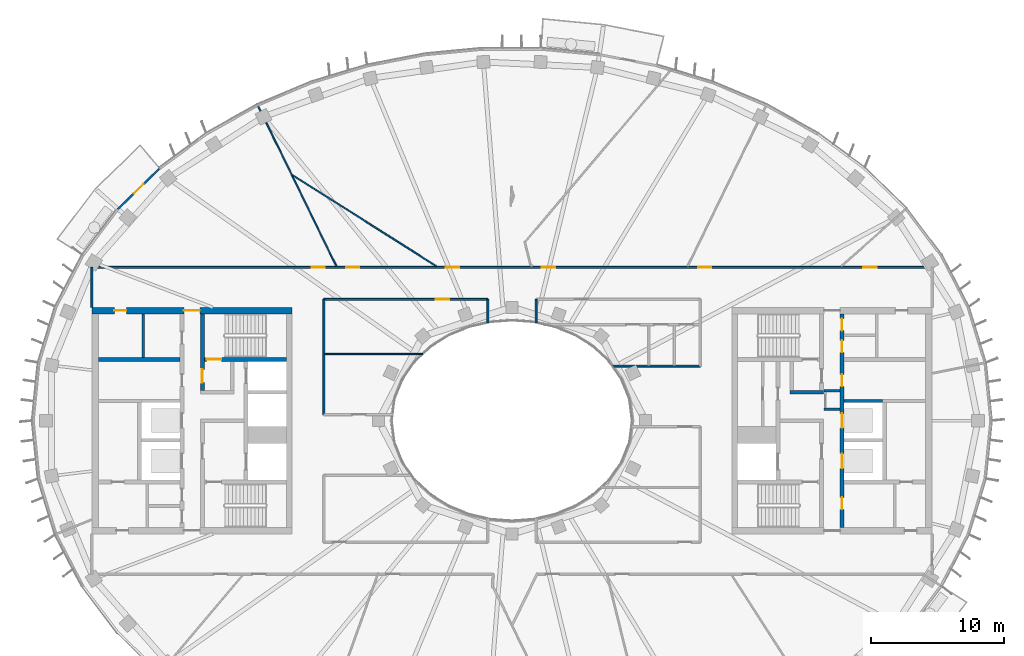
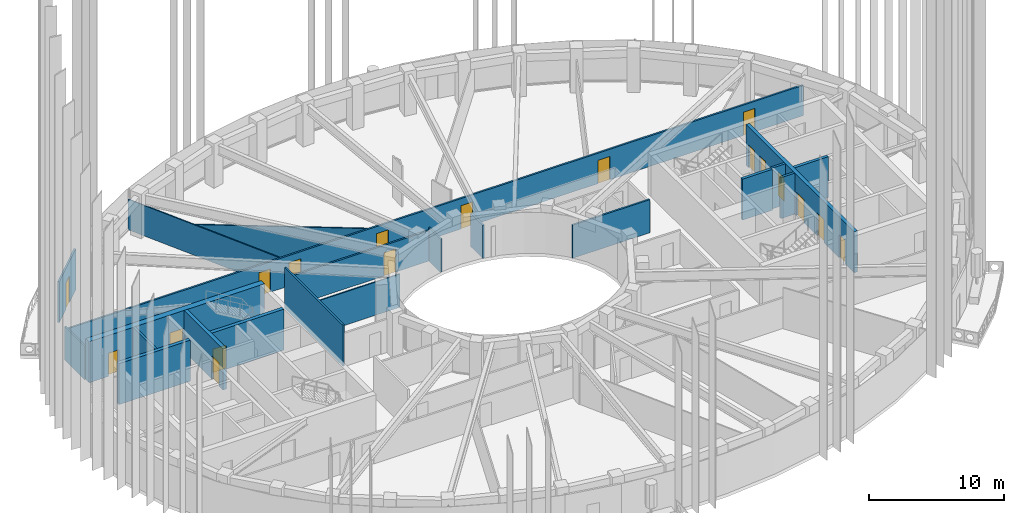
# One storey, part 5 of 17: 21 walls, 18 doors, 18 openings.
"""IFC4 building model written with IfcOpenShell, lengths in metres."""

from ifc_helpers import new_model, si_unit, direction, frame, frame_2d, origin, place, context, subcontext, project, spatial, rectangle, extrude, material, layer, layer_set, type_object, element, fill, save


model = new_model("IFC4")

# Units and contexts
model_context = context("Model", 3, precision=1e-05, world=origin(), true_north=direction((0.0, 1.0)))
body_context = subcontext(model_context, "Body", "Model", "MODEL_VIEW")
ifc_project = project(units=[si_unit("LENGTHUNIT", "METRE"), si_unit("AREAUNIT", "SQUARE_METRE"), si_unit("VOLUMEUNIT", "CUBIC_METRE"), si_unit("PLANEANGLEUNIT", "RADIAN"), si_unit("MASSUNIT", "GRAM", prefix="KILO")], contexts=[model_context])

# Site, building, storey
site_placement = place(None, origin())
site = spatial("IfcSite", under=ifc_project, at=site_placement, CompositionType="ELEMENT")
building_placement = place(site_placement, origin())
building = spatial("IfcBuilding", under=site, at=building_placement, Name="Noorbagh Ring Tower", CompositionType="ELEMENT")
storey_placement = place(building_placement, frame((0.0, 0.0, 291.0)))
storey = spatial("IfcBuildingStorey", under=building, at=storey_placement, Name="L62", CompositionType="ELEMENT", Elevation=291.0)

# Walls
ifc_material_1 = material(Name="Gypsum board on steel studs", Category="steel")
ifc_layer_1 = layer(ifc_material_1, 0.199951171875)
ifc_layer_set_1 = layer_set([ifc_layer_1], Name="Gypsum board on steel studs")
wall_type_1 = type_object("IfcWallType", Name="CORE-PARTITION-200", PredefinedType="PARTITIONING", material=ifc_layer_set_1)
wall_1_placement = place(storey_placement, frame((-27.64990234375, 4.75, 0.0), z_axis=(0.0, 0.0, 1.0), x_axis=(0.0, 1.0, 0.0)))
element("IfcWall", 1, at=wall_1_placement, inside=storey, type_object=wall_type_1, Name="Core partition W", PredefinedType="PARTITIONING", context=body_context, shape_type="SweptSolid", body=[
    extrude(rectangle(XDim=3.25, YDim=0.199951171875, at=frame_2d((1.625, 0.0))), origin(), (0.0, 0.0, 1.0), 3.699951171875),
])
for number, where, z_axis, x_axis, name in (
    (2, (23.39990234375, 0.85009765625, 0.0), (0.0, 0.0, 1.0), (1.0, 0.0, 0.0), "Core partition E"),
    (3, (23.39990234375, 2.25, 0.0), (0.0, 0.0, 1.0), (1.0, 0.0, 0.0), "Core partition E"),
):
    element("IfcWall", number, at=place(storey_placement, frame(where, z_axis=z_axis, x_axis=x_axis)), inside=storey, type_object=wall_type_1, Name=name, PredefinedType="PARTITIONING", context=body_context, shape_type="SweptSolid", body=[
        extrude(rectangle(XDim=1.2001953125, YDim=0.199951171875, at=frame_2d((0.60009765625, 0.0))), origin(), (0.0, 0.0, 1.0), 3.699951171875),
    ])
ifc_material_2 = material(Name="Concrete C50/60", Category="concrete")
ifc_layer_2 = layer(ifc_material_2, 0.25)
ifc_layer_set_2 = layer_set([ifc_layer_2], Name="Concrete C50/60")
wall_type_2 = type_object("IfcWallType", Name="CORE-WALL-250-C50-60-EI120", PredefinedType="SHEAR", material=ifc_layer_set_2)
wall_2_placement = place(storey_placement, frame((24.89990234375, 1.47509765625, 0.0), z_axis=(0.0, 0.0, 1.0), x_axis=(1.0, 0.0, 0.0)))
element("IfcWall", 4, at=wall_2_placement, inside=storey, type_object=wall_type_2, Name="Core wall E", PredefinedType="SHEAR", context=body_context, shape_type="SweptSolid", body=[
    extrude(rectangle(XDim=2.900146484375, YDim=0.25, at=frame_2d((1.4501953125, 0.0))), origin(), (0.0, 0.0, 1.0), 3.699951171875),
])
ifc_material_3 = material(Name="Concrete C50/60", Category="concrete")
ifc_layer_3 = layer(ifc_material_3, 0.25)
ifc_layer_set_3 = layer_set([ifc_layer_3], Name="Concrete C50/60")
wall_type_3 = type_object("IfcWallType", Name="CORE-WALL-250-C50-60-EI240", PredefinedType="SHEAR", material=ifc_layer_set_3)
wall_3_placement = place(storey_placement, frame((20.85009765625, 2.125, 0.0), z_axis=(0.0, 0.0, 1.0), x_axis=(1.0, 0.0, 0.0)))
element("IfcWall", 5, at=wall_3_placement, inside=storey, type_object=wall_type_3, Name="Core wall E", PredefinedType="SHEAR", context=body_context, shape_type="SweptSolid", body=[
    extrude(rectangle(XDim=2.52978515625, YDim=0.25, at=frame_2d((1.264892578125, 0.0))), origin(), (0.0, 0.0, 1.0), 3.699951171875),
])

# Wall, openings, doors
ifc_material_4 = material(Name="Concrete C50/60", Category="concrete")
ifc_layer_4 = layer(ifc_material_4, 0.300048828125)
ifc_layer_set_4 = layer_set([ifc_layer_4], Name="Concrete C50/60")
wall_type_4 = type_object("IfcWallType", Name="CORE-WALL-300-C50-60-EI120", PredefinedType="SHEAR", material=ifc_layer_set_4)
wall_4_placement = place(storey_placement, frame((24.75, -8.0, 0.0), z_axis=(0.0, 0.0, 1.0), x_axis=(0.0, 1.0, 0.0)))
wall_4 = element("IfcWall", 6, at=wall_4_placement, inside=storey, type_object=wall_type_4, Name="Core wall E", PredefinedType="SHEAR", context=body_context, shape_type="SweptSolid", body=[
    extrude(rectangle(XDim=16.0, YDim=0.300048828125, at=frame_2d((8.0, 0.0))), origin(), (0.0, 0.0, 1.0), 3.699951171875),
])
opening_1_placement = place(wall_4_placement, frame((4.425048828125, 0.0, 0.0)))
opening_1 = element("IfcOpeningElement", 7, at=opening_1_placement, cuts=wall_4, Name="Opening L62-CE02", PredefinedType="OPENING", context=body_context, shape_type="SweptSolid", body=[
    extrude(rectangle(XDim=1.10009765625, YDim=2.10009765625, at=frame_2d((0.550048828125, 1.050048828125))), frame((0.0, 0.16015625, 0.0), z_axis=(0.0, -1.0, 0.0), x_axis=(1.0, 0.0, 0.0)), (0.0, 0.0, 1.0), 0.320068359375),
])
opening_2_placement = place(wall_4_placement, frame((7.449951171875, 0.0, 0.0)))
opening_2 = element("IfcOpeningElement", 8, at=opening_2_placement, cuts=wall_4, Name="Opening L62-CE03", PredefinedType="OPENING", context=body_context, shape_type="SweptSolid", body=[
    extrude(rectangle(XDim=1.10009765625, YDim=2.10009765625, at=frame_2d((0.550048828125, 1.050048828125))), frame((0.0, 0.16015625, 0.0), z_axis=(0.0, -1.0, 0.0), x_axis=(1.0, 0.0, 0.0)), (0.0, 0.0, 1.0), 0.320068359375),
])
opening_3_placement = place(wall_4_placement, frame((10.574951171875, 0.0, 0.0)))
opening_3 = element("IfcOpeningElement", 9, at=opening_3_placement, cuts=wall_4, Name="Opening L62-CE12", PredefinedType="OPENING", context=body_context, shape_type="SweptSolid", body=[
    extrude(rectangle(XDim=0.89990234375, YDim=2.10009765625, at=frame_2d((0.449951171875, 1.050048828125))), frame((0.0, 0.16015625, 0.0), z_axis=(0.0, -1.0, 0.0), x_axis=(1.0, 0.0, 0.0)), (0.0, 0.0, 1.0), 0.320068359375),
])
opening_4_placement = place(wall_4_placement, frame((13.125, 0.0, 0.0)))
opening_4 = element("IfcOpeningElement", 10, at=opening_4_placement, cuts=wall_4, Name="Opening L62-CE13", PredefinedType="OPENING", context=body_context, shape_type="SweptSolid", body=[
    extrude(rectangle(XDim=0.89990234375, YDim=2.10009765625, at=frame_2d((0.449951171875, 1.050048828125))), frame((0.0, 0.16015625, 0.0), z_axis=(0.0, -1.0, 0.0), x_axis=(1.0, 0.0, 0.0)), (0.0, 0.0, 1.0), 0.320068359375),
])
opening_5_placement = place(wall_4_placement, frame((14.75, 0.0, 0.0)))
opening_5 = element("IfcOpeningElement", 11, at=opening_5_placement, cuts=wall_4, Name="Opening L62-CE14", PredefinedType="OPENING", context=body_context, shape_type="SweptSolid", body=[
    extrude(rectangle(XDim=0.89990234375, YDim=2.10009765625, at=frame_2d((0.449951171875, 1.050048828125))), frame((0.0, 0.16015625, 0.0), z_axis=(0.0, -1.0, 0.0), x_axis=(1.0, 0.0, 0.0)), (0.0, 0.0, 1.0), 0.320068359375),
])
opening_6_placement = place(wall_4_placement, frame((1.35009765625, 0.0, 0.0)))
opening_6 = element("IfcOpeningElement", 12, at=opening_6_placement, cuts=wall_4, Name="Opening L62-CE16", PredefinedType="OPENING", context=body_context, shape_type="SweptSolid", body=[
    extrude(rectangle(XDim=0.89990234375, YDim=2.10009765625, at=frame_2d((0.449951171875, 1.050048828125))), frame((0.0, 0.16015625, 0.0), z_axis=(0.0, -1.0, 0.0), x_axis=(1.0, 0.0, 0.0)), (0.0, 0.0, 1.0), 0.320068359375),
])
ifc_material_5 = material(Name="Steel door leaf", Category="steel")
door_type_1 = type_object("IfcDoorType", Name="CORE-DOOR-DROOM", OperationType="SINGLE_SWING_LEFT", PredefinedType="DOOR", material=ifc_material_5)
door_1_placement = place(opening_3_placement, origin())
door_1 = element("IfcDoor", 13, at=door_1_placement, inside=storey, type_object=door_type_1, Name="Core room door L62-CE12", OperationType="SINGLE_SWING_LEFT", OverallHeight=2.10009765625, OverallWidth=0.89990234375, PredefinedType="DOOR", context=body_context, shape_type="SweptSolid", body=[
    extrude(rectangle(XDim=0.89990234375, YDim=2.10009765625, at=frame_2d((0.449951171875, 1.050048828125))), frame((0.0, 0.02490234375, 0.0), z_axis=(0.0, -1.0, 0.0), x_axis=(1.0, 0.0, 0.0)), (0.0, 0.0, 1.0), 0.050048828125),
])
fill(opening_3, door_1)
door_2_placement = place(opening_4_placement, origin())
door_2 = element("IfcDoor", 14, at=door_2_placement, inside=storey, type_object=door_type_1, Name="Core room door L62-CE13", OperationType="SINGLE_SWING_RIGHT", OverallHeight=2.10009765625, OverallWidth=0.89990234375, PredefinedType="DOOR", context=body_context, shape_type="SweptSolid", body=[
    extrude(rectangle(XDim=0.89990234375, YDim=2.10009765625, at=frame_2d((0.449951171875, 1.050048828125))), frame((0.0, 0.02490234375, 0.0), z_axis=(0.0, -1.0, 0.0), x_axis=(1.0, 0.0, 0.0)), (0.0, 0.0, 1.0), 0.050048828125),
])
fill(opening_4, door_2)
door_3_placement = place(opening_5_placement, origin())
door_3 = element("IfcDoor", 15, at=door_3_placement, inside=storey, type_object=door_type_1, Name="Core room door L62-CE14", OperationType="SINGLE_SWING_LEFT", OverallHeight=2.10009765625, OverallWidth=0.89990234375, PredefinedType="DOOR", context=body_context, shape_type="SweptSolid", body=[
    extrude(rectangle(XDim=0.89990234375, YDim=2.10009765625, at=frame_2d((0.449951171875, 1.050048828125))), frame((0.0, 0.02490234375, 0.0), z_axis=(0.0, -1.0, 0.0), x_axis=(1.0, 0.0, 0.0)), (0.0, 0.0, 1.0), 0.050048828125),
])
fill(opening_5, door_3)
door_4_placement = place(opening_6_placement, origin())
door_4 = element("IfcDoor", 16, at=door_4_placement, inside=storey, type_object=door_type_1, Name="Core room door L62-CE16", OperationType="SINGLE_SWING_RIGHT", OverallHeight=2.10009765625, OverallWidth=0.89990234375, PredefinedType="DOOR", context=body_context, shape_type="SweptSolid", body=[
    extrude(rectangle(XDim=0.89990234375, YDim=2.10009765625, at=frame_2d((0.449951171875, 1.050048828125))), frame((0.0, 0.02490234375, 0.0), z_axis=(0.0, -1.0, 0.0), x_axis=(1.0, 0.0, 0.0)), (0.0, 0.0, 1.0), 0.050048828125),
])
fill(opening_6, door_4)
ifc_material_6 = material(Name="Steel door leaf", Category="steel")
door_type_2 = type_object("IfcDoorType", Name="CORE-DOOR-LD", OperationType="DOUBLE_DOOR_SLIDING", PredefinedType="DOOR", material=ifc_material_6)
door_5_placement = place(opening_1_placement, origin())
door_5 = element("IfcDoor", 17, at=door_5_placement, inside=storey, type_object=door_type_2, Name="Landing door HR12 L62-CE02", OperationType="DOUBLE_DOOR_SLIDING", OverallHeight=2.10009765625, OverallWidth=1.10009765625, PredefinedType="DOOR", context=body_context, shape_type="SweptSolid", body=[
    extrude(rectangle(XDim=1.10009765625, YDim=2.10009765625, at=frame_2d((0.550048828125, 1.050048828125))), frame((0.0, 0.02490234375, 0.0), z_axis=(0.0, -1.0, 0.0), x_axis=(1.0, 0.0, 0.0)), (0.0, 0.0, 1.0), 0.050048828125),
])
fill(opening_1, door_5)
door_6_placement = place(opening_2_placement, origin())
door_6 = element("IfcDoor", 18, at=door_6_placement, inside=storey, type_object=door_type_2, Name="Landing door HR13 L62-CE03", OperationType="DOUBLE_DOOR_SLIDING", OverallHeight=2.10009765625, OverallWidth=1.10009765625, PredefinedType="DOOR", context=body_context, shape_type="SweptSolid", body=[
    extrude(rectangle(XDim=1.10009765625, YDim=2.10009765625, at=frame_2d((0.550048828125, 1.050048828125))), frame((0.0, 0.02490234375, 0.0), z_axis=(0.0, -1.0, 0.0), x_axis=(1.0, 0.0, 0.0)), (0.0, 0.0, 1.0), 0.050048828125),
])
fill(opening_2, door_6)

# Wall
ifc_material_7 = material(Name="Concrete C50/60", Category="concrete")
ifc_layer_5 = layer(ifc_material_7, 0.300048828125)
ifc_layer_set_5 = layer_set([ifc_layer_5], Name="Concrete C50/60")
wall_type_5 = type_object("IfcWallType", Name="CORE-WALL-300-C50-60-EI240", PredefinedType="SHEAR", material=ifc_layer_set_5)
wall_5_placement = place(storey_placement, frame((-24.89990234375, 4.60009765625, 0.0), z_axis=(0.0, 0.0, 1.0), x_axis=(-1.0, 0.0, 0.0)))
element("IfcWall", 19, at=wall_5_placement, inside=storey, type_object=wall_type_5, Name="Core wall W", PredefinedType="SHEAR", context=body_context, shape_type="SweptSolid", body=[
    extrude(rectangle(XDim=6.10009765625, YDim=0.300048828125, at=frame_2d((3.050048828125, 0.0))), origin(), (0.0, 0.0, 1.0), 3.699951171875),
])

# Wall, opening, door
wall_6_placement = place(storey_placement, frame((-23.22998046875, 2.25, 0.0), z_axis=(0.0, 0.0, 1.0), x_axis=(0.0, 1.0, 0.0)))
wall_6 = element("IfcWall", 20, at=wall_6_placement, inside=storey, type_object=wall_type_5, Name="Core wall W", PredefinedType="SHEAR", context=body_context, shape_type="SweptSolid", body=[
    extrude(rectangle(XDim=5.75, YDim=0.300048828125, at=frame_2d((2.875, 0.0))), origin(), (0.0, 0.0, 1.0), 3.699951171875),
])
opening_7_placement = place(wall_6_placement, frame((0.60009765625, 0.0, 0.0)))
opening_7 = element("IfcOpeningElement", 21, at=opening_7_placement, cuts=wall_6, Name="Opening L62-CW08", PredefinedType="OPENING", context=body_context, shape_type="SweptSolid", body=[
    extrude(rectangle(XDim=1.0, YDim=2.10009765625, at=frame_2d((0.5, 1.050048828125))), frame((0.0, 0.16015625, 0.0), z_axis=(0.0, -1.0, 0.0), x_axis=(1.0, 0.0, 0.0)), (0.0, 0.0, 1.0), 0.320068359375),
])
ifc_material_8 = material(Name="Steel door leaf", Category="steel")
door_type_3 = type_object("IfcDoorType", Name="CORE-DOOR-DVEST", OperationType="SINGLE_SWING_LEFT", PredefinedType="DOOR", material=ifc_material_8)
door_7_placement = place(opening_7_placement, origin())
door_7 = element("IfcDoor", 22, at=door_7_placement, inside=storey, type_object=door_type_3, Name="Stair vestibule door L62-CW08", OperationType="SINGLE_SWING_LEFT", OverallHeight=2.10009765625, OverallWidth=1.0, PredefinedType="DOOR", context=body_context, shape_type="SweptSolid", body=[
    extrude(rectangle(XDim=1.0, YDim=2.10009765625, at=frame_2d((0.5, 1.050048828125))), frame((0.0, 0.02490234375, 0.0), z_axis=(0.0, -1.0, 0.0), x_axis=(1.0, 0.0, 0.0)), (0.0, 0.0, 1.0), 0.050048828125),
])
fill(opening_7, door_7)

wall_7_placement = place(storey_placement, frame((-16.89990234375, 4.60009765625, 0.0), z_axis=(0.0, 0.0, 1.0), x_axis=(-1.0, 0.0, 0.0)))
wall_7 = element("IfcWall", 23, at=wall_7_placement, inside=storey, type_object=wall_type_5, Name="Core wall W", PredefinedType="SHEAR", context=body_context, shape_type="SweptSolid", body=[
    extrude(rectangle(XDim=6.18017578125, YDim=0.300048828125, at=frame_2d((3.090087890625, 0.0))), origin(), (0.0, 0.0, 1.0), 3.699951171875),
])
opening_8_placement = place(wall_7_placement, frame((4.89990234375, 0.0, 0.0)))
opening_8 = element("IfcOpeningElement", 24, at=opening_8_placement, cuts=wall_7, Name="Opening L62-CW05", PredefinedType="OPENING", context=body_context, shape_type="SweptSolid", body=[
    extrude(rectangle(XDim=1.10009765625, YDim=2.10009765625, at=frame_2d((0.550048828125, 1.050048828125))), frame((0.0, 0.16015625, 0.0), z_axis=(0.0, -1.0, 0.0), x_axis=(1.0, 0.0, 0.0)), (0.0, 0.0, 1.0), 0.320068359375),
])
ifc_material_9 = material(Name="Steel door leaf", Category="steel")
door_type_4 = type_object("IfcDoorType", Name="CORE-DOOR-DSTAIR", OperationType="SINGLE_SWING_LEFT", PredefinedType="DOOR", material=ifc_material_9)
door_8_placement = place(opening_8_placement, origin())
door_8 = element("IfcDoor", 25, at=door_8_placement, inside=storey, type_object=door_type_4, Name="Stair door ST1 L62-CW05", OperationType="SINGLE_SWING_RIGHT", OverallHeight=2.10009765625, OverallWidth=1.10009765625, PredefinedType="DOOR", context=body_context, shape_type="SweptSolid", body=[
    extrude(rectangle(XDim=1.10009765625, YDim=2.10009765625, at=frame_2d((0.550048828125, 1.050048828125))), frame((0.0, 0.02490234375, 0.0), z_axis=(0.0, -1.0, 0.0), x_axis=(1.0, 0.0, 0.0)), (0.0, 0.0, 1.0), 0.050048828125),
])
fill(opening_8, door_8)

# Wall, openings, doors
ifc_material_10 = material(Name="Concrete C50/60", Category="concrete")
ifc_layer_6 = layer(ifc_material_10, 0.5)
ifc_layer_set_6 = layer_set([ifc_layer_6], Name="Concrete C50/60")
wall_type_6 = type_object("IfcWallType", Name="CORE-WALL-500-C50-60-EI240", PredefinedType="SHEAR", material=ifc_layer_set_6)
wall_8_placement = place(storey_placement, frame((-16.5, 8.25, 0.0), z_axis=(0.0, 0.0, 1.0), x_axis=(-1.0, 0.0, 0.0)))
wall_8 = element("IfcWall", 26, at=wall_8_placement, inside=storey, type_object=wall_type_6, Name="Core wall W", PredefinedType="SHEAR", context=body_context, shape_type="SweptSolid", body=[
    extrude(rectangle(XDim=15.0, YDim=0.5, at=frame_2d((7.5, 0.0))), origin(), (0.0, 0.0, 1.0), 3.699951171875),
])
opening_9_placement = place(wall_8_placement, frame((6.89990234375, 0.0, 0.0)))
opening_9 = element("IfcOpeningElement", 27, at=opening_9_placement, cuts=wall_8, Name="Opening L62-CW09", PredefinedType="OPENING", context=body_context, shape_type="SweptSolid", body=[
    extrude(rectangle(XDim=1.199951171875, YDim=2.10009765625, at=frame_2d((0.60009765625, 1.050048828125))), frame((0.0, 0.260009765625, 0.0), z_axis=(0.0, -1.0, 0.0), x_axis=(1.0, 0.0, 0.0)), (0.0, 0.0, 1.0), 0.52001953125),
])
opening_10_placement = place(wall_8_placement, frame((12.425048828125, 0.0, 0.0)))
opening_10 = element("IfcOpeningElement", 28, at=opening_10_placement, cuts=wall_8, Name="Opening L62-CW13", PredefinedType="OPENING", context=body_context, shape_type="SweptSolid", body=[
    extrude(rectangle(XDim=0.89990234375, YDim=2.10009765625, at=frame_2d((0.449951171875, 1.050048828125))), frame((0.0, 0.260009765625, 0.0), z_axis=(0.0, -1.0, 0.0), x_axis=(1.0, 0.0, 0.0)), (0.0, 0.0, 1.0), 0.52001953125),
])
door_9_placement = place(opening_10_placement, origin())
door_9 = element("IfcDoor", 29, at=door_9_placement, inside=storey, type_object=door_type_1, Name="Core room door L62-CW13", OperationType="SINGLE_SWING_RIGHT", OverallHeight=2.10009765625, OverallWidth=0.89990234375, PredefinedType="DOOR", context=body_context, shape_type="SweptSolid", body=[
    extrude(rectangle(XDim=0.89990234375, YDim=2.10009765625, at=frame_2d((0.449951171875, 1.050048828125))), frame((0.0, 0.02490234375, 0.0), z_axis=(0.0, -1.0, 0.0), x_axis=(1.0, 0.0, 0.0)), (0.0, 0.0, 1.0), 0.050048828125),
])
fill(opening_10, door_9)
ifc_material_11 = material(Name="Steel door leaf", Category="steel")
door_type_5 = type_object("IfcDoorType", Name="CORE-DOOR-PORT", OperationType="DOUBLE_DOOR_DOUBLE_SWING", PredefinedType="DOOR", material=ifc_material_11)
door_10_placement = place(opening_9_placement, origin())
door_10 = element("IfcDoor", 30, at=door_10_placement, inside=storey, type_object=door_type_5, Name="Core entrance door L62-CW09", OperationType="DOUBLE_DOOR_DOUBLE_SWING", OverallHeight=2.10009765625, OverallWidth=1.199951171875, PredefinedType="DOOR", context=body_context, shape_type="SweptSolid", body=[
    extrude(rectangle(XDim=1.199951171875, YDim=2.10009765625, at=frame_2d((0.60009765625, 1.050048828125))), frame((0.0, 0.02490234375, 0.0), z_axis=(0.0, -1.0, 0.0), x_axis=(1.0, 0.0, 0.0)), (0.0, 0.0, 1.0), 0.050048828125),
])
fill(opening_9, door_10)

# Wall
ifc_material_12 = material(Name="Gypsum board on steel studs", Category="steel")
ifc_layer_7 = layer(ifc_material_12, 0.14990234375)
ifc_layer_set_7 = layer_set([ifc_layer_7], Name="Gypsum board on steel studs")
wall_type_7 = type_object("IfcWallType", Name="CORRIDOR PARTITION 150 EI 30", PredefinedType="PARTITIONING", material=ifc_layer_set_7)
wall_9_placement = place(storey_placement, frame((-31.5, 8.5, 0.0), z_axis=(0.0, 0.0, 1.0), x_axis=(0.0, 1.0, 0.0)))
element("IfcWall", 31, at=wall_9_placement, inside=storey, type_object=wall_type_7, Name="L62/wall/P04", PredefinedType="PARTITIONING", context=body_context, shape_type="SweptSolid", body=[
    extrude(rectangle(XDim=3.0, YDim=0.14990234375, at=frame_2d((1.5, 0.0))), origin(), (0.0, 0.0, 1.0), 3.0),
])

# Wall, openings, doors
wall_10_placement = place(storey_placement, frame((-31.5, 11.5, 0.0), z_axis=(0.0, 0.0, 1.0), x_axis=(1.0, 0.0, 0.0)))
wall_10 = element("IfcWall", 32, at=wall_10_placement, inside=storey, type_object=wall_type_7, Name="L62/wall/P05", PredefinedType="PARTITIONING", context=body_context, shape_type="SweptSolid", body=[
    extrude(rectangle(XDim=63.0, YDim=0.14990234375, at=frame_2d((31.5, 0.0))), origin(), (0.0, 0.0, 1.0), 2.75),
])
opening_11_placement = place(wall_10_placement, frame((16.470947265625, 0.0, 0.0)))
opening_11 = element("IfcOpeningElement", 33, at=opening_11_placement, cuts=wall_10, Name="Opening D1", PredefinedType="OPENING", context=body_context, shape_type="SweptSolid", body=[
    extrude(rectangle(XDim=1.0, YDim=2.10009765625, at=frame_2d((0.5, 1.050048828125))), frame((0.0, 0.0849609375, 0.0), z_axis=(0.0, -1.0, 0.0), x_axis=(1.0, 0.0, 0.0)), (0.0, 0.0, 1.0), 0.169921875),
])
opening_12_placement = place(wall_10_placement, frame((19.06201171875, 0.0, 0.0)))
opening_12 = element("IfcOpeningElement", 34, at=opening_12_placement, cuts=wall_10, Name="Opening D1", PredefinedType="OPENING", context=body_context, shape_type="SweptSolid", body=[
    extrude(rectangle(XDim=1.0, YDim=2.10009765625, at=frame_2d((0.5, 1.050048828125))), frame((0.0, 0.0849609375, 0.0), z_axis=(0.0, -1.0, 0.0), x_axis=(1.0, 0.0, 0.0)), (0.0, 0.0, 1.0), 0.169921875),
])
opening_13_placement = place(wall_10_placement, frame((26.531005859375, 0.0, 0.0)))
opening_13 = element("IfcOpeningElement", 35, at=opening_13_placement, cuts=wall_10, Name="Opening D1", PredefinedType="OPENING", context=body_context, shape_type="SweptSolid", body=[
    extrude(rectangle(XDim=1.0, YDim=2.10009765625, at=frame_2d((0.5, 1.050048828125))), frame((0.0, 0.0849609375, 0.0), z_axis=(0.0, -1.0, 0.0), x_axis=(1.0, 0.0, 0.0)), (0.0, 0.0, 1.0), 0.169921875),
])
opening_14_placement = place(wall_10_placement, frame((33.738037109375, 0.0, 0.0)))
opening_14 = element("IfcOpeningElement", 36, at=opening_14_placement, cuts=wall_10, Name="Opening D1", PredefinedType="OPENING", context=body_context, shape_type="SweptSolid", body=[
    extrude(rectangle(XDim=1.0, YDim=2.10009765625, at=frame_2d((0.5, 1.050048828125))), frame((0.0, 0.0849609375, 0.0), z_axis=(0.0, -1.0, 0.0), x_axis=(1.0, 0.0, 0.0)), (0.0, 0.0, 1.0), 0.169921875),
])
opening_15_placement = place(wall_10_placement, frame((45.4560546875, 0.0, 0.0)))
opening_15 = element("IfcOpeningElement", 37, at=opening_15_placement, cuts=wall_10, Name="Opening D1", PredefinedType="OPENING", context=body_context, shape_type="SweptSolid", body=[
    extrude(rectangle(XDim=1.0, YDim=2.10009765625, at=frame_2d((0.5, 1.050048828125))), frame((0.0, 0.0849609375, 0.0), z_axis=(0.0, -1.0, 0.0), x_axis=(1.0, 0.0, 0.0)), (0.0, 0.0, 1.0), 0.169921875),
])
opening_16_placement = place(wall_10_placement, frame((57.85009765625, 0.0, 0.0)))
opening_16 = element("IfcOpeningElement", 38, at=opening_16_placement, cuts=wall_10, Name="Opening D1", PredefinedType="OPENING", context=body_context, shape_type="SweptSolid", body=[
    extrude(rectangle(XDim=1.0, YDim=2.10009765625, at=frame_2d((0.5, 1.050048828125))), frame((0.0, 0.0849609375, 0.0), z_axis=(0.0, -1.0, 0.0), x_axis=(1.0, 0.0, 0.0)), (0.0, 0.0, 1.0), 0.169921875),
])
ifc_material_13 = material(Name="Timber, painted", Category="wood")
door_type_6 = type_object("IfcDoorType", Name="DOOR 1000 X 2100 FD30", OperationType="SINGLE_SWING_LEFT", PredefinedType="DOOR", material=ifc_material_13)
door_11_placement = place(opening_11_placement, origin())
door_11 = element("IfcDoor", 39, at=door_11_placement, inside=storey, type_object=door_type_6, Name="L62-D05", OperationType="SINGLE_SWING_LEFT", OverallHeight=2.10009765625, OverallWidth=1.0, PredefinedType="DOOR", context=body_context, shape_type="SweptSolid", body=[
    extrude(rectangle(XDim=1.0, YDim=2.10009765625, at=frame_2d((0.5, 1.050048828125))), frame((0.0, 0.02490234375, 0.0), z_axis=(0.0, -1.0, 0.0), x_axis=(1.0, 0.0, 0.0)), (0.0, 0.0, 1.0), 0.050048828125),
])
fill(opening_11, door_11)
door_12_placement = place(opening_12_placement, origin())
door_12 = element("IfcDoor", 40, at=door_12_placement, inside=storey, type_object=door_type_6, Name="L62-D08", OperationType="SINGLE_SWING_RIGHT", OverallHeight=2.10009765625, OverallWidth=1.0, PredefinedType="DOOR", context=body_context, shape_type="SweptSolid", body=[
    extrude(rectangle(XDim=1.0, YDim=2.10009765625, at=frame_2d((0.5, 1.050048828125))), frame((0.0, 0.02490234375, 0.0), z_axis=(0.0, -1.0, 0.0), x_axis=(1.0, 0.0, 0.0)), (0.0, 0.0, 1.0), 0.050048828125),
])
fill(opening_12, door_12)
door_13_placement = place(opening_13_placement, origin())
door_13 = element("IfcDoor", 41, at=door_13_placement, inside=storey, type_object=door_type_6, Name="L62-D10", OperationType="SINGLE_SWING_RIGHT", OverallHeight=2.10009765625, OverallWidth=1.0, PredefinedType="DOOR", context=body_context, shape_type="SweptSolid", body=[
    extrude(rectangle(XDim=1.0, YDim=2.10009765625, at=frame_2d((0.5, 1.050048828125))), frame((0.0, 0.02490234375, 0.0), z_axis=(0.0, -1.0, 0.0), x_axis=(1.0, 0.0, 0.0)), (0.0, 0.0, 1.0), 0.050048828125),
])
fill(opening_13, door_13)
door_14_placement = place(opening_14_placement, origin())
door_14 = element("IfcDoor", 42, at=door_14_placement, inside=storey, type_object=door_type_6, Name="L62-D12", OperationType="SINGLE_SWING_RIGHT", OverallHeight=2.10009765625, OverallWidth=1.0, PredefinedType="DOOR", context=body_context, shape_type="SweptSolid", body=[
    extrude(rectangle(XDim=1.0, YDim=2.10009765625, at=frame_2d((0.5, 1.050048828125))), frame((0.0, 0.02490234375, 0.0), z_axis=(0.0, -1.0, 0.0), x_axis=(1.0, 0.0, 0.0)), (0.0, 0.0, 1.0), 0.050048828125),
])
fill(opening_14, door_14)
door_15_placement = place(opening_15_placement, origin())
door_15 = element("IfcDoor", 43, at=door_15_placement, inside=storey, type_object=door_type_6, Name="L62-D14", OperationType="SINGLE_SWING_RIGHT", OverallHeight=2.10009765625, OverallWidth=1.0, PredefinedType="DOOR", context=body_context, shape_type="SweptSolid", body=[
    extrude(rectangle(XDim=1.0, YDim=2.10009765625, at=frame_2d((0.5, 1.050048828125))), frame((0.0, 0.02490234375, 0.0), z_axis=(0.0, -1.0, 0.0), x_axis=(1.0, 0.0, 0.0)), (0.0, 0.0, 1.0), 0.050048828125),
])
fill(opening_15, door_15)
door_16_placement = place(opening_16_placement, origin())
door_16 = element("IfcDoor", 44, at=door_16_placement, inside=storey, type_object=door_type_6, Name="L62-D16", OperationType="SINGLE_SWING_RIGHT", OverallHeight=2.10009765625, OverallWidth=1.0, PredefinedType="DOOR", context=body_context, shape_type="SweptSolid", body=[
    extrude(rectangle(XDim=1.0, YDim=2.10009765625, at=frame_2d((0.5, 1.050048828125))), frame((0.0, 0.02490234375, 0.0), z_axis=(0.0, -1.0, 0.0), x_axis=(1.0, 0.0, 0.0)), (0.0, 0.0, 1.0), 0.050048828125),
])
fill(opening_16, door_16)

# Wall
wall_11_placement = place(storey_placement, frame((-14.10009765625, 0.455078125, 0.0), z_axis=(0.0, 0.0, 1.0), x_axis=(0.0, 1.0, 0.0)))
element("IfcWall", 45, at=wall_11_placement, inside=storey, type_object=wall_type_7, Name="L62/wall/P13", PredefinedType="PARTITIONING", context=body_context, shape_type="SweptSolid", body=[
    extrude(rectangle(XDim=8.64501953125, YDim=0.14990234375, at=frame_2d((4.322509765625, 0.0))), origin(), (0.0, 0.0, 1.0), 3.699951171875),
])

# Wall, opening, door
wall_12_placement = place(storey_placement, frame((-14.10009765625, 9.10009765625, 0.0), z_axis=(0.0, 0.0, 1.0), x_axis=(1.0, 0.0, 0.0)))
wall_12 = element("IfcWall", 46, at=wall_12_placement, inside=storey, type_object=wall_type_7, Name="L62/wall/P16", PredefinedType="PARTITIONING", context=body_context, shape_type="SweptSolid", body=[
    extrude(rectangle(XDim=12.300048828125, YDim=0.14990234375, at=frame_2d((6.14990234375, 0.0))), origin(), (0.0, 0.0, 1.0), 2.75),
])
opening_17_placement = place(wall_12_placement, frame((8.39990234375, 0.0, 0.0)))
opening_17 = element("IfcOpeningElement", 47, at=opening_17_placement, cuts=wall_12, Name="Opening D1", PredefinedType="OPENING", context=body_context, shape_type="SweptSolid", body=[
    extrude(rectangle(XDim=1.0, YDim=2.10009765625, at=frame_2d((0.5, 1.050048828125))), frame((0.0, 0.0849609375, 0.0), z_axis=(0.0, -1.0, 0.0), x_axis=(1.0, 0.0, 0.0)), (0.0, 0.0, 1.0), 0.169921875),
])
door_17_placement = place(opening_17_placement, origin())
door_17 = element("IfcDoor", 48, at=door_17_placement, inside=storey, type_object=door_type_6, Name="L62-D20", OperationType="SINGLE_SWING_RIGHT", OverallHeight=2.10009765625, OverallWidth=1.0, PredefinedType="DOOR", context=body_context, shape_type="SweptSolid", body=[
    extrude(rectangle(XDim=1.0, YDim=2.10009765625, at=frame_2d((0.5, 1.050048828125))), frame((0.0, 0.02490234375, 0.0), z_axis=(0.0, -1.0, 0.0), x_axis=(1.0, 0.0, 0.0)), (0.0, 0.0, 1.0), 0.050048828125),
])
fill(opening_17, door_17)

# Walls
for number, where, z_axis, x_axis, name in (
    (49, (-1.800048828125, 7.3359375, 0.0), (0.0, 0.0, 1.0), (0.0, 1.0, 0.0), "L62/wall/P19"),
    (50, (1.800048828125, 7.3359375, 0.0), (0.0, 0.0, 1.0), (0.0, 1.0, 0.0), "L62/wall/P32"),
):
    element("IfcWall", number, at=place(storey_placement, frame(where, z_axis=z_axis, x_axis=x_axis)), inside=storey, type_object=wall_type_7, Name=name, PredefinedType="PARTITIONING", context=body_context, shape_type="SweptSolid", body=[
        extrude(rectangle(XDim=1.76416015625, YDim=0.14990234375, at=frame_2d((0.882080078125, 0.0))), origin(), (0.0, 0.0, 1.0), 3.0),
    ])
wall_13_placement = place(storey_placement, frame((7.4970703125, 4.094970703125, 0.0), z_axis=(0.0, 0.0, 1.0), x_axis=(1.0, 0.0, 0.0)))
element("IfcWall", 51, at=wall_13_placement, inside=storey, type_object=wall_type_7, Name="L62/wall/P39", PredefinedType="PARTITIONING", context=body_context, shape_type="SweptSolid", body=[
    extrude(rectangle(XDim=6.60302734375, YDim=0.14990234375, at=frame_2d((3.301513671875, 0.0))), origin(), (0.0, 0.0, 1.0), 3.0),
])

# Wall, opening, door
ifc_material_14 = material(Name="Insulated aluminium clad panel", Category="aluminium")
ifc_layer_8 = layer(ifc_material_14, 0.14990234375)
ifc_layer_set_8 = layer_set([ifc_layer_8], Name="Insulated aluminium clad panel")
wall_type_8 = type_object("IfcWallType", Name="ENV-WALL-DOOR", PredefinedType="STANDARD", material=ifc_layer_set_8)
wall_14_placement = place(storey_placement, frame((-26.396484375, 18.943359375, 0.0), z_axis=(0.0, 0.0, 1.0), x_axis=(-0.717214761864, -0.696852197647, 0.0)))
wall_14 = element("IfcWall", 52, at=wall_14_placement, inside=storey, type_object=wall_type_8, Name="Balcony door wall chord 19", PredefinedType="STANDARD", context=body_context, shape_type="SweptSolid", body=[
    extrude(rectangle(XDim=4.424072265625, YDim=0.14990234375, at=frame_2d((2.2119140625, 0.0))), origin(), (0.0, 0.0, 1.0), 3.699951171875),
])
opening_18_placement = place(wall_14_placement, frame((1.712158203125, 0.0, 0.0)))
opening_18 = element("IfcOpeningElement", 53, at=opening_18_placement, cuts=wall_14, Name="Opening D-BL", PredefinedType="OPENING", context=body_context, shape_type="SweptSolid", body=[
    extrude(rectangle(XDim=1.0, YDim=2.39990234375, at=frame_2d((0.5, 1.199951171875))), frame((0.0, 0.0849609375, 0.0), z_axis=(0.0, -1.0, 0.0), x_axis=(1.0, 0.0, 0.0)), (0.0, 0.0, 1.0), 0.169921875),
])
ifc_material_15 = material(Name="Aluminium and glass", Category="aluminium")
door_type_7 = type_object("IfcDoorType", Name="ENV-DOOR-BALCONY", OperationType="SINGLE_SWING_LEFT", PredefinedType="DOOR", material=ifc_material_15)
door_18_placement = place(opening_18_placement, origin())
door_18 = element("IfcDoor", 54, at=door_18_placement, inside=storey, type_object=door_type_7, Name="Balcony door chord 19", OperationType="SINGLE_SWING_LEFT", OverallHeight=2.39990234375, OverallWidth=1.0, PredefinedType="DOOR", context=body_context, shape_type="SweptSolid", body=[
    extrude(rectangle(XDim=1.0, YDim=2.39990234375, at=frame_2d((0.5, 1.199951171875))), frame((0.0, 0.02490234375, 0.0), z_axis=(0.0, -1.0, 0.0), x_axis=(1.0, 0.0, 0.0)), (0.0, 0.0, 1.0), 0.050048828125),
])
fill(opening_18, door_18)

# Walls
ifc_material_16 = material(Name="Gypsum board on steel studs", Category="steel")
ifc_layer_9 = layer(ifc_material_16, 0.10009765625)
ifc_layer_set_9 = layer_set([ifc_layer_9], Name="Gypsum board on steel studs")
wall_type_9 = type_object("IfcWallType", Name="PARTITION 100 GYPSUM", PredefinedType="PARTITIONING", material=ifc_layer_set_9)
wall_15_placement = place(storey_placement, frame((-19.0859375, 23.68505859375, 0.0), z_axis=(0.0, 0.0, 1.0), x_axis=(0.439180235984, -0.898398976135, 0.0)))
element("IfcWall", 55, at=wall_15_placement, inside=storey, type_object=wall_type_9, Name="L62/wall/P07", PredefinedType="PARTITIONING", context=body_context, shape_type="SweptSolid", body=[
    extrude(rectangle(XDim=13.47509765625, YDim=0.10009765625, at=frame_2d((6.737548828125, 0.0))), origin(), (0.0, 0.0, 1.0), 2.75),
])
wall_16_placement = place(storey_placement, frame((-16.451904296875, 18.412109375, 0.0), z_axis=(0.0, 0.0, 1.0), x_axis=(0.844827711376, -0.535038445434, 0.0)))
element("IfcWall", 56, at=wall_16_placement, inside=storey, type_object=wall_type_9, Name="L62/wall/P08", PredefinedType="PARTITIONING", context=body_context, shape_type="SweptSolid", body=[
    extrude(rectangle(XDim=12.77880859375, YDim=0.10009765625, at=frame_2d((6.389404296875, 0.0))), origin(), (0.0, 0.0, 1.0), 2.75),
])
wall_17_placement = place(storey_placement, frame((-14.02490234375, 5.0048828125, 0.0), z_axis=(0.0, 0.0, 1.0), x_axis=(1.0, 0.0, 0.0)))
element("IfcWall", 57, at=wall_17_placement, inside=storey, type_object=wall_type_9, Name="L62/wall/P15", PredefinedType="PARTITIONING", context=body_context, shape_type="SweptSolid", body=[
    extrude(rectangle(XDim=7.3408203125, YDim=0.10009765625, at=frame_2d((3.67041015625, 0.0))), origin(), (0.0, 0.0, 1.0), 3.0),
])

save(model, "model.ifc")
